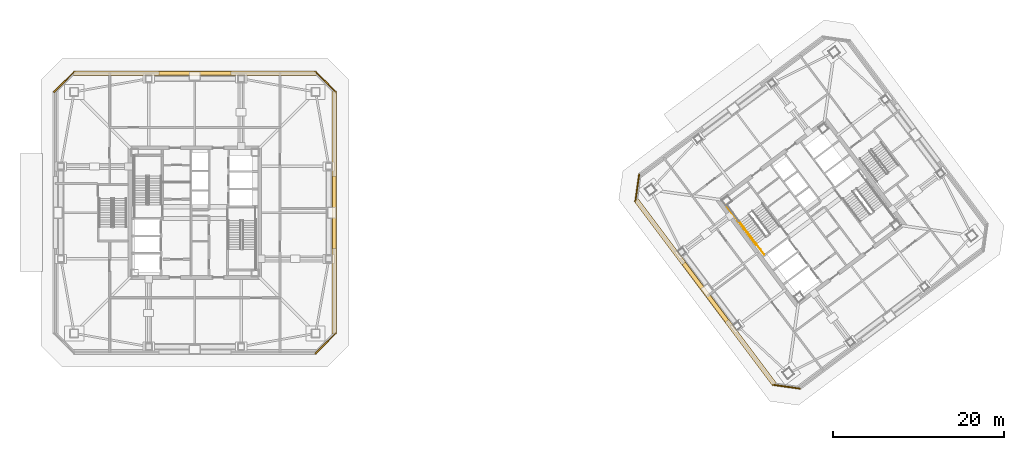
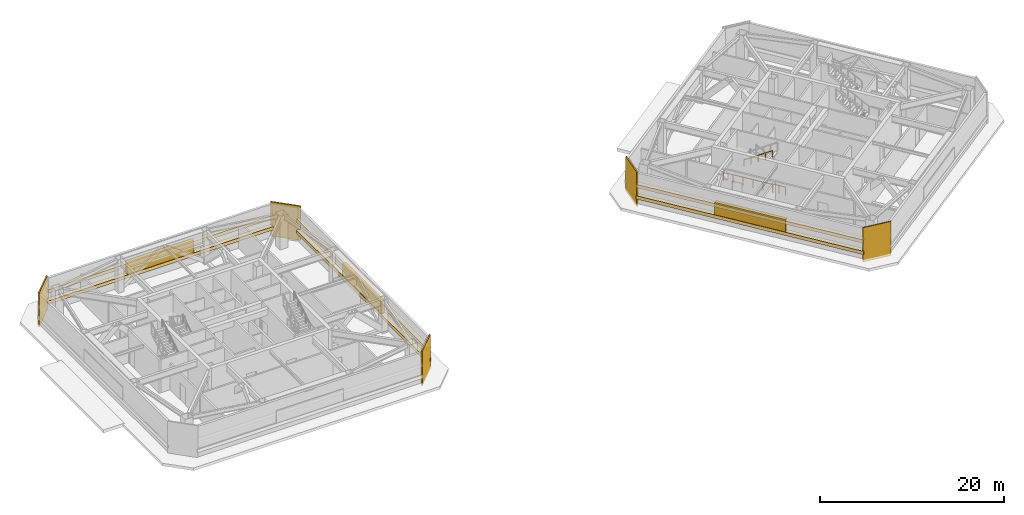
# One storey, part 12 of 15: 11 coverings, 3 railings, 3 shading devices.
"""IFC4 building model written with IfcOpenShell, lengths in metres."""

from ifc_helpers import new_model, si_unit, direction, frame, origin, origin_2d, place, context, subcontext, project, spatial, rectangle, extrude, material, layer, layer_set, type_object, element, save


model = new_model("IFC4")

# Units and contexts
model_context = context("Model", 3, precision=1e-05, world=origin(), true_north=direction((0.0, 1.0)))
body_context = subcontext(model_context, "Body", "Model", "MODEL_VIEW")
ifc_project = project(units=[si_unit("LENGTHUNIT", "METRE"), si_unit("AREAUNIT", "SQUARE_METRE"), si_unit("VOLUMEUNIT", "CUBIC_METRE"), si_unit("PLANEANGLEUNIT", "RADIAN"), si_unit("MASSUNIT", "GRAM", prefix="KILO")], contexts=[model_context])

# Site, building, storey
site_placement = place(None, origin())
site = spatial("IfcSite", under=ifc_project, at=site_placement, CompositionType="ELEMENT")
building_placement = place(site_placement, origin())
building = spatial("IfcBuilding", under=site, at=building_placement, Name="Tashvorn Skyway Center", CompositionType="ELEMENT")
storey_placement = place(building_placement, frame((0.0, 0.0, 199.60009765625)))
storey = spatial("IfcBuildingStorey", under=building, at=storey_placement, Name="L54", CompositionType="ELEMENT", Elevation=199.60009765625)

# Coverings
ifc_material_1 = material(Name="Perforated ceramic-coated bronze aluminium solar screen", Category="aluminium")
ifc_layer_1 = layer(ifc_material_1, 0.85009765625)
ifc_layer_set_1 = layer_set([ifc_layer_1], Name="Perforated ceramic-coated bronze aluminium solar screen")
covering_type_1 = type_object("IfcCoveringType", Name="COV-SOLAR-BAND", PredefinedType="CLADDING", material=ifc_layer_set_1)
for number, where, z_axis, x_axis, name in (
    (1, (42.0, 48.280029296875, 1.030029296875), (0.0, 0.0, 1.0), (1.0, 0.0, 0.0), "Tower 1 L54 North Belt Acoustic Louvre Band 1"),
    (2, (42.0, 48.280029296875, 2.530029296875), (0.0, 0.0, 1.0), (1.0, 0.0, 0.0), "Tower 1 L54 North Belt Acoustic Louvre Band 2"),
    (3, (58.280029296875, 32.0, 1.030029296875), (0.0, 0.0, 1.0), (0.0, -1.0, 0.0), "Tower 1 L54 East Belt Acoustic Louvre Band 1"),
    (4, (58.280029296875, 32.0, 2.530029296875), (0.0, 0.0, 1.0), (0.0, -1.0, 0.0), "Tower 1 L54 East Belt Acoustic Louvre Band 2"),
):
    element("IfcCovering", number, at=place(storey_placement, frame(where, z_axis=z_axis, x_axis=x_axis)), inside=storey, type_object=covering_type_1, Name=name, PredefinedType="CLADDING", context=body_context, shape_type="SweptSolid", body=[
        extrude(rectangle(XDim=28.360107421875, YDim=0.550048828125, at=origin_2d()), origin(), (0.0, 0.0, 1.0), 0.43994140625),
    ])
for number, where, z_axis, x_axis, name in (
    (5, (101.615966796875, 22.7119140625, 1.030029296875), (0.0, 0.0, 1.0), (-0.600000004945, 0.799999996291, 0.0), "Tower 2 L54 West Belt Acoustic Louvre Band 1"),
    (6, (101.615966796875, 22.7119140625, 2.530029296875), (0.0, 0.0, 1.0), (-0.600000004945, 0.799999996291, 0.0), "Tower 2 L54 West Belt Acoustic Louvre Band 2"),
):
    element("IfcCovering", number, at=place(storey_placement, frame(where, z_axis=z_axis, x_axis=x_axis)), inside=storey, type_object=covering_type_1, Name=name, PredefinedType="CLADDING", context=body_context, shape_type="SweptSolid", body=[
        extrude(rectangle(XDim=26.9599609375, YDim=0.550048828125, at=origin_2d()), origin(), (0.0, 0.0, 1.0), 0.43994140625),
    ])
ifc_material_2 = material(Name="Precast concrete C40/50", Category="concrete")
ifc_layer_2 = layer(ifc_material_2, 0.35009765625)
ifc_layer_set_2 = layer_set([ifc_layer_2], Name="Precast concrete C40/50")
covering_type_2 = type_object("IfcCoveringType", Name="COV-STONE-TRIM", PredefinedType="CLADDING", material=ifc_layer_set_2)
for number, where, z_axis, x_axis, name in (
    (7, (26.72998046875, 47.27001953125, 0.019775390625), (0.0, 0.0, 1.0), (-0.707106781187, -0.707106781187, 0.0), "Tower 1 L54 NW Mojave Limestone Corner Quoin"),
    (8, (57.27001953125, 47.27001953125, 0.019775390625), (0.0, 0.0, 1.0), (0.707106781187, -0.707106781187, 0.0), "Tower 1 L54 NE Mojave Limestone Corner Quoin"),
    (9, (57.27001953125, 16.72998046875, 0.019775390625), (0.0, 0.0, 1.0), (0.707106781187, 0.707106781187, 0.0), "Tower 1 L54 SE Mojave Limestone Corner Quoin"),
):
    element("IfcCovering", number, at=place(storey_placement, frame(where, z_axis=z_axis, x_axis=x_axis)), inside=storey, type_object=covering_type_2, Name=name, PredefinedType="CLADDING", context=body_context, shape_type="SweptSolid", body=[
        extrude(rectangle(XDim=3.41259765625, YDim=0.139892578125, at=origin_2d()), origin(), (0.0, 0.0, 1.0), 4.56005859375),
    ])
for number, where, z_axis, x_axis, name in (
    (10, (111.095947265625, 11.672119140625, 0.019775390625), (0.0, 0.0, 1.0), (-0.989949494535, 0.141421350118, 0.0), "Tower 2 L54 SW Mojave Limestone Corner Quoin"),
    (11, (93.672119140625, 34.904052734375, 0.019775390625), (0.0, 0.0, 1.0), (-0.141421350118, -0.989949494535, 0.0), "Tower 2 L54 NW Mojave Limestone Corner Quoin"),
):
    element("IfcCovering", number, at=place(storey_placement, frame(where, z_axis=z_axis, x_axis=x_axis)), inside=storey, type_object=covering_type_2, Name=name, PredefinedType="CLADDING", context=body_context, shape_type="SweptSolid", body=[
        extrude(rectangle(XDim=3.271240234375, YDim=0.139892578125, at=origin_2d()), origin(), (0.0, 0.0, 1.0), 4.56005859375),
    ])

# Railings
ifc_material_3 = material(Name="Brushed stainless steel 316", Category="steel")
railing_type_1 = type_object("IfcRailingType", Name="RAIL-HAND-920", PredefinedType="HANDRAIL", material=ifc_material_3)
railing_1_placement = place(storey_placement, frame((105.568115234375, 31.02587890625, 2.476806640625)))
element("IfcRailing", 12, at=railing_1_placement, inside=storey, type_object=railing_type_1, Name="L54 ST-T2-1 stair handrail 2", PredefinedType="HANDRAIL", context=body_context, shape_type="SweptSolid", body=[
    extrude(rectangle(XDim=0.048095703125, YDim=0.048095703125, at=origin_2d()), frame((0.0, 0.0, 0.8759765625), z_axis=(0.507205711726, -0.676315233875, 0.534172322777), x_axis=(0.800017438734, 0.59997674765, 0.0)), (0.0, 0.0, 1.0), 3.974365234375),
    extrude(rectangle(XDim=0.0419921875, YDim=0.0419921875, at=origin_2d()), origin(), (0.0, 0.0, 1.0), 0.851806640625),
    extrude(rectangle(XDim=0.0419921875, YDim=0.0419921875, at=origin_2d()), frame((0.50390625, -0.671875, 0.53076171875)), (0.0, 0.0, 1.0), 0.851806640625),
    extrude(rectangle(XDim=0.0419921875, YDim=0.0419921875, at=origin_2d()), frame((1.0078125, -1.343994140625, 1.0615234375)), (0.0, 0.0, 1.0), 0.851806640625),
    extrude(rectangle(XDim=0.0419921875, YDim=0.0419921875, at=origin_2d()), frame((1.511962890625, -2.01611328125, 1.59228515625)), (0.0, 0.0, 1.0), 0.851806640625),
    extrude(rectangle(XDim=0.0419921875, YDim=0.0419921875, at=origin_2d()), frame((2.015869140625, -2.68798828125, 2.123046875)), (0.0, 0.0, 1.0), 0.851806640625),
])
ifc_material_4 = material(Name="Painted galvanized steel S355", Category="steel")
railing_type_2 = type_object("IfcRailingType", Name="RAIL-STGUARD-1100", PredefinedType="GUARDRAIL", material=ifc_material_4)
railing_2_placement = place(storey_placement, frame((108.49609375, 27.1220703125, 0.0)))
element("IfcRailing", 13, at=railing_2_placement, inside=storey, type_object=railing_type_2, Name="L54 ST-T2-1 stair guard 6", PredefinedType="GUARDRAIL", context=body_context, shape_type="SweptSolid", body=[
    extrude(rectangle(XDim=0.048095703125, YDim=0.048095703125, at=origin_2d()), frame((0.0, 0.0, 1.076171875), z_axis=(-0.600102796382, 0.799922892393, 0.0), x_axis=(-0.799922892393, -0.600102796382, 0.0)), (0.0, 0.0, 1.0), 1.52001953125),
    extrude(rectangle(XDim=0.0419921875, YDim=0.0419921875, at=origin_2d()), origin(), (0.0, 0.0, 1.0), 1.052001953125),
    extrude(rectangle(XDim=0.0419921875, YDim=0.0419921875, at=origin_2d()), frame((-0.4560546875, 0.60791015625, 0.0)), (0.0, 0.0, 1.0), 1.052001953125),
    extrude(rectangle(XDim=0.0419921875, YDim=0.0419921875, at=origin_2d()), frame((-0.912109375, 1.2158203125, 0.0)), (0.0, 0.0, 1.0), 1.052001953125),
])
railing_3_placement = place(storey_placement, frame((107.56396484375, 28.197998046875, 0.0)))
element("IfcRailing", 14, at=railing_3_placement, inside=storey, type_object=railing_type_2, Name="L54 ST-T2-1 stair guard 7", PredefinedType="GUARDRAIL", context=body_context, shape_type="SweptSolid", body=[
    extrude(rectangle(XDim=0.048095703125, YDim=0.048095703125, at=origin_2d()), frame((0.0, 0.0, 1.076171875), z_axis=(-0.6, 0.8, 0.0), x_axis=(-0.8, -0.6, 0.0)), (0.0, 0.0, 1.0), 5.880126953125),
    extrude(rectangle(XDim=0.0419921875, YDim=0.0419921875, at=origin_2d()), origin(), (0.0, 0.0, 1.0), 1.052001953125),
    extrude(rectangle(XDim=0.0419921875, YDim=0.0419921875, at=origin_2d()), frame((-0.70556640625, 0.94091796875, 0.0)), (0.0, 0.0, 1.0), 1.052001953125),
    extrude(rectangle(XDim=0.0419921875, YDim=0.0419921875, at=origin_2d()), frame((-1.4111328125, 1.881591796875, 0.0)), (0.0, 0.0, 1.0), 1.052001953125),
    extrude(rectangle(XDim=0.0419921875, YDim=0.0419921875, at=origin_2d()), frame((-2.116943359375, 2.822509765625, 0.0)), (0.0, 0.0, 1.0), 1.052001953125),
    extrude(rectangle(XDim=0.0419921875, YDim=0.0419921875, at=origin_2d()), frame((-2.822509765625, 3.76318359375, 0.0)), (0.0, 0.0, 1.0), 1.052001953125),
    extrude(rectangle(XDim=0.0419921875, YDim=0.0419921875, at=origin_2d()), frame((-3.528076171875, 4.7041015625, 0.0)), (0.0, 0.0, 1.0), 1.052001953125),
])

# Shading devices
ifc_material_5 = material(Name="Thermally broken bronze-anodized aluminium 6063-T6", Category="aluminium")
ifc_layer_3 = layer(ifc_material_5, 0.1201171875)
ifc_layer_set_3 = layer_set([ifc_layer_3], Name="Thermally broken bronze-anodized aluminium 6063-T6")
shading_device_type = type_object("IfcShadingDeviceType", Name="SHD-LOUVRE-450", PredefinedType="JALOUSIE", material=ifc_layer_set_3)
for number, where, z_axis, x_axis, name in (
    (15, (42.0, 48.280029296875, 1.2998046875), (0.0, 0.0, 1.0), (1.0, 0.0, 0.0), "Tower 1 L54 North Mechanical Intake Louvre"),
    (16, (58.280029296875, 32.0, 1.2998046875), (0.0, 0.0, 1.0), (0.0, -1.0, 0.0), "Tower 1 L54 East Mechanical Intake Louvre"),
    (17, (101.615966796875, 22.7119140625, 1.2998046875), (0.0, 0.0, 1.0), (-0.600000004945, 0.799999996291, 0.0), "Tower 2 L54 West Mechanical Intake Louvre"),
):
    element("IfcShadingDevice", number, at=place(storey_placement, frame(where, z_axis=z_axis, x_axis=x_axis)), inside=storey, type_object=shading_device_type, Name=name, PredefinedType="JALOUSIE", context=body_context, shape_type="SweptSolid", body=[
        extrude(rectangle(XDim=8.39990234375, YDim=0.449951171875, at=origin_2d()), origin(), (0.0, 0.0, 1.0), 1.800048828125),
    ])

save(model, "model.ifc")
